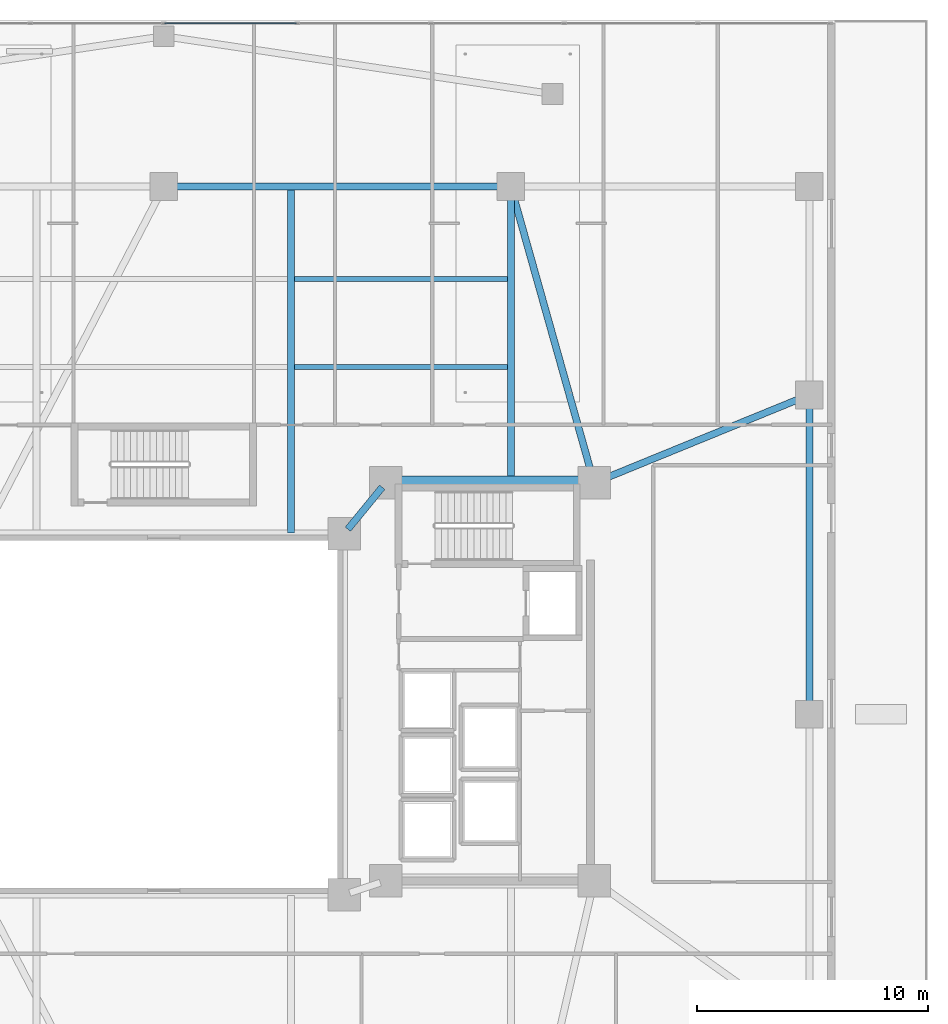
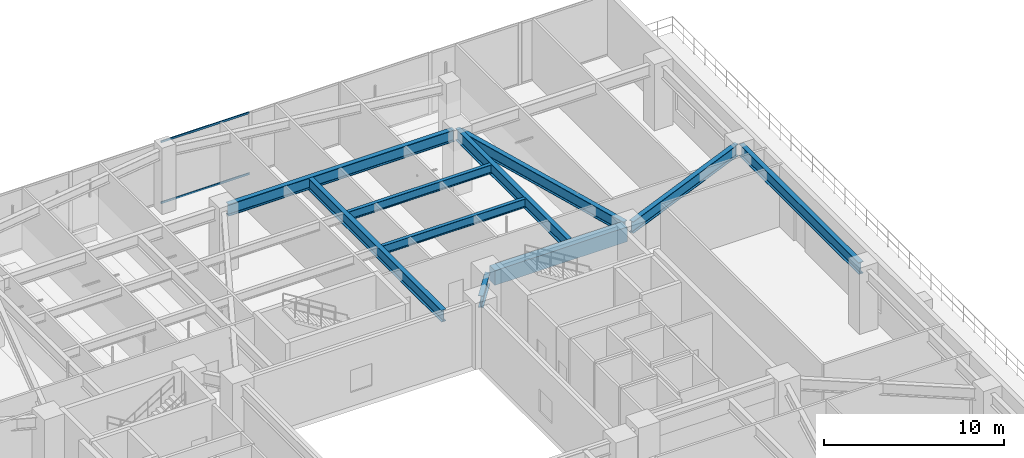
# One storey, part 13 of 27: 10 beams, 2 members, 1 element without a shape of its own.
"""IFC4 building model written with IfcOpenShell, lengths in metres."""

from ifc_helpers import new_model, si_unit, direction, frame, origin, origin_2d, place, context, subcontext, project, spatial, rectangle, hollow_rectangle, i_section, extrude, material, layer, layer_set, material_profile, profile_set, type_object, element, aggregate, save


model = new_model("IFC4")

# Units and contexts
model_context = context("Model", 3, precision=1e-05, world=origin(), true_north=direction((0.0, 1.0)))
body_context = subcontext(model_context, "Body", "Model", "MODEL_VIEW")
ifc_project = project(units=[si_unit("LENGTHUNIT", "METRE"), si_unit("AREAUNIT", "SQUARE_METRE"), si_unit("VOLUMEUNIT", "CUBIC_METRE"), si_unit("PLANEANGLEUNIT", "RADIAN"), si_unit("MASSUNIT", "GRAM", prefix="KILO")], contexts=[model_context])

# Site, building, storey
site_placement = place(None, origin())
site = spatial("IfcSite", under=ifc_project, at=site_placement, CompositionType="ELEMENT")
building_placement = place(site_placement, origin())
building = spatial("IfcBuilding", under=site, at=building_placement, Name="Tarnavaz Court Tower", CompositionType="ELEMENT")
storey_placement = place(building_placement, frame((0.0, 0.0, 9.89990234375)))
storey = spatial("IfcBuildingStorey", under=building, at=storey_placement, Name="L02", CompositionType="ELEMENT", Elevation=9.89990234375)

# Beams
ifc_material_1 = material(Name="Concrete C60/75", Category="concrete")
ifc_material_profile_1 = material_profile(ifc_material_1, rectangle(XDim=0.60009765625, YDim=1.0, at=origin_2d()), Name="RC 600X1000")
ifc_profile_set_1 = profile_set([ifc_material_profile_1], Name="Concrete C60/75")
beam_type_1 = type_object("IfcBeamType", Name="BM-CB1000", PredefinedType="LINTEL", material=ifc_profile_set_1)
beam_1_placement = place(storey_placement, frame((18.35009765625, 10.0, 3.7001953125), z_axis=(-1.0, 0.0, 0.0), x_axis=(0.0, -1.0, 0.0)))
element("IfcBeam", 1, at=beam_1_placement, inside=storey, type_object=beam_type_1, Name="L02 Beam CE-NO-CE-NI", PredefinedType="LINTEL", context=body_context, shape_type="SweptSolid", body=[
    extrude(rectangle(XDim=0.60009765625, YDim=1.0, at=origin_2d()), origin(), (0.0, 0.0, 1.0), 8.5),
])
ifc_material_2 = material(Name="Steel S355", Category="steel")
ifc_material_profile_2 = material_profile(ifc_material_2, i_section(OverallWidth=0.300048828125, OverallDepth=0.800048828125, WebThickness=0.017578125, FlangeThickness=0.032958984375, FilletRadius=0.030029296875, at=origin_2d()), Name="HEB 800")
ifc_profile_set_2 = profile_set([ifc_material_profile_2], Name="Steel S355")
beam_type_2 = type_object("IfcBeamType", Name="BM-G-HEB800", PredefinedType="USERDEFINED", material=ifc_profile_set_2)
beam_2_placement = place(storey_placement, frame((9.441650390625, 9.806396484375, 3.800048828125), z_axis=(-0.633249141033, -0.773948012066, 0.0), x_axis=(0.773948012066, -0.633249141033, 0.0)))
element("IfcBeam", 2, at=beam_2_placement, inside=storey, type_object=beam_type_2, Name="L02 Beam CE-NI-IW-NE", ObjectType="GIRDER", PredefinedType="USERDEFINED", context=body_context, shape_type="SweptSolid", body=[
    extrude(i_section(OverallWidth=0.300048828125, OverallDepth=0.800048828125, WebThickness=0.017578125, FlangeThickness=0.032958984375, FilletRadius=0.030029296875, at=origin_2d()), origin(), (0.0, 0.0, 1.0), 2.342529296875),
])
beam_3_placement = place(storey_placement, frame((0.25, 22.800048828125, 3.800048828125), z_axis=(1.0, 0.0, 0.0), x_axis=(0.0, 1.0, 0.0)))
element("IfcBeam", 3, at=beam_3_placement, inside=storey, type_object=beam_type_2, Name="L02 Beam PM-PM-N2-PM-N3", ObjectType="GIRDER", PredefinedType="USERDEFINED", context=body_context, shape_type="SweptSolid", body=[
    extrude(i_section(OverallWidth=0.300048828125, OverallDepth=0.800048828125, WebThickness=0.017578125, FlangeThickness=0.032958984375, FilletRadius=0.030029296875, at=origin_2d()), origin(), (0.0, 0.0, 1.0), 14.5),
])
beam_4_placement = place(storey_placement, frame((27.89990234375, 0.25, 3.800048828125), z_axis=(0.0, 1.0, 0.0), x_axis=(-1.0, 0.0, 0.0)))
element("IfcBeam", 4, at=beam_4_placement, inside=storey, type_object=beam_type_2, Name="L02 Beam PM-PM-E2-PM-E3", ObjectType="GIRDER", PredefinedType="USERDEFINED", context=body_context, shape_type="SweptSolid", body=[
    extrude(i_section(OverallWidth=0.300048828125, OverallDepth=0.800048828125, WebThickness=0.017578125, FlangeThickness=0.032958984375, FilletRadius=0.030029296875, at=origin_2d()), origin(), (0.0, 0.0, 1.0), 13.300048828125),
])
beam_5_placement = place(storey_placement, frame((18.5322265625, 10.24072265625, 3.800048828125), z_axis=(-0.270745024415, 0.962651095545, 0.0), x_axis=(-0.962651095545, -0.270745024415, 0.0)))
element("IfcBeam", 5, at=beam_5_placement, inside=storey, type_object=beam_type_2, Name="L02 Beam PM-CE-NO-PM-N3", ObjectType="GIRDER", PredefinedType="USERDEFINED", context=body_context, shape_type="SweptSolid", body=[
    extrude(i_section(OverallWidth=0.300048828125, OverallDepth=0.800048828125, WebThickness=0.017578125, FlangeThickness=0.032958984375, FilletRadius=0.030029296875, at=origin_2d()), origin(), (0.0, 0.0, 1.0), 12.796630859375),
])
beam_6_placement = place(storey_placement, frame((18.831298828125, 10.094482421875, 3.800048828125), z_axis=(0.925710630755, 0.378232505356, 0.0), x_axis=(-0.378232505356, 0.925710630755, 0.0)))
element("IfcBeam", 6, at=beam_6_placement, inside=storey, type_object=beam_type_2, Name="L02 Beam PM-CE-NO-PM-E3", ObjectType="GIRDER", PredefinedType="USERDEFINED", context=body_context, shape_type="SweptSolid", body=[
    extrude(i_section(OverallWidth=0.300048828125, OverallDepth=0.800048828125, WebThickness=0.017578125, FlangeThickness=0.032958984375, FilletRadius=0.030029296875, at=origin_2d()), origin(), (0.0, 0.0, 1.0), 9.546630859375),
])
beam_7_placement = place(storey_placement, frame((5.5, 7.840087890625, 3.800048828125), z_axis=(0.0, 1.0, 0.0), x_axis=(-1.0, 0.0, 0.0)))
element("IfcBeam", 7, at=beam_7_placement, inside=storey, type_object=beam_type_2, Name="L02 Beam PM-NS-NCE", ObjectType="GIRDER", PredefinedType="USERDEFINED", context=body_context, shape_type="SweptSolid", body=[
    extrude(i_section(OverallWidth=0.300048828125, OverallDepth=0.800048828125, WebThickness=0.017578125, FlangeThickness=0.032958984375, FilletRadius=0.030029296875, at=origin_2d()), origin(), (0.0, 0.0, 1.0), 14.919921875),
])
beam_8_placement = place(storey_placement, frame((15.0, 10.0400390625, 3.800048828125), z_axis=(0.0, 1.0, 0.0), x_axis=(-1.0, 0.0, 0.0)))
element("IfcBeam", 8, at=beam_8_placement, inside=storey, type_object=beam_type_2, Name="L02 Beam PM-NS-NE", ObjectType="GIRDER", PredefinedType="USERDEFINED", context=body_context, shape_type="SweptSolid", body=[
    extrude(i_section(OverallWidth=0.300048828125, OverallDepth=0.800048828125, WebThickness=0.017578125, FlangeThickness=0.032958984375, FilletRadius=0.030029296875, at=origin_2d()), origin(), (0.0, 0.0, 1.0), 12.719970703125),
])
ifc_material_profile_3 = material_profile(ifc_material_2, i_section(OverallWidth=0.219970703125, OverallDepth=0.60009765625, WebThickness=0.011962890625, FlangeThickness=0.01904296875, FilletRadius=0.02392578125, at=origin_2d()), Name="IPE 600")
ifc_profile_set_3 = profile_set([ifc_material_profile_3], Name="Steel S355")
beam_type_3 = type_object("IfcBeamType", Name="BM-J-IPE600", PredefinedType="JOIST", material=ifc_profile_set_3)
for number, where, z_axis, x_axis, name in (
    (9, (5.64990234375, 15.0, 3.900146484375), (1.0, 0.0, 0.0), (0.0, 1.0, 0.0), "L02 Beam PJN-1-3"),
    (10, (5.64990234375, 18.800048828125, 3.900146484375), (1.0, 0.0, 0.0), (0.0, 1.0, 0.0), "L02 Beam PJN-2-3"),
):
    element("IfcBeam", number, at=place(storey_placement, frame(where, z_axis=z_axis, x_axis=x_axis)), inside=storey, type_object=beam_type_3, Name=name, PredefinedType="JOIST", context=body_context, shape_type="SweptSolid", body=[
        extrude(i_section(OverallWidth=0.219970703125, OverallDepth=0.60009765625, WebThickness=0.011962890625, FlangeThickness=0.01904296875, FilletRadius=0.02392578125, at=origin_2d()), origin(), (0.0, 0.0, 1.0), 9.2001953125),
    ])

# Curtain wall, members
ifc_material_3 = material(Name="Anodised Aluminium 6063-T6 and Solar Low-E Glazing", Category="aluminium")
ifc_layer = layer(ifc_material_3, 0.18994140625)
ifc_layer_set = layer_set([ifc_layer], Name="Anodised Aluminium 6063-T6 and Solar Low-E Glazing")
curtain_wall_type = type_object("IfcCurtainWallType", Name="CW-SYS-01", PredefinedType="NOTDEFINED", material=ifc_layer_set)
curtain_wall_placement = place(storey_placement, origin())
curtain_wall = element("IfcCurtainWall", 11, at=curtain_wall_placement, inside=storey, type_object=curtain_wall_type, Name="L02 Clinic Podium Curtain Wall 1", PredefinedType="NOTDEFINED")
ifc_material_4 = material(Name="Anodised Aluminium 6063-T6", Category="aluminium")
ifc_material_profile_4 = material_profile(ifc_material_4, hollow_rectangle(XDim=0.06494140625, YDim=0.139892578125, WallThickness=0.00390625, InnerFilletRadius=0.00390625, OuterFilletRadius=0.008056640625, at=origin_2d()), Name="ALU RHS 140X65X4")
ifc_profile_set_4 = profile_set([ifc_material_profile_4], Name="Anodised Aluminium 6063-T6")
member_type = type_object("IfcMemberType", Name="CW-TRN-140", PredefinedType="USERDEFINED", material=ifc_profile_set_4)
member_1_placement = place(storey_placement, frame((0.04248046875, 29.85009765625, 0.03271484375), z_axis=(1.0, 0.0, 0.0), x_axis=(0.0, 1.0, 0.0)))
member_1 = element("IfcMember", 12, at=member_1_placement, type_object=member_type, Name="CW transom 6.1", ObjectType="TRANSOM", PredefinedType="USERDEFINED", context=body_context, shape_type="SweptSolid", body=[
    extrude(hollow_rectangle(XDim=0.06494140625, YDim=0.139892578125, WallThickness=0.00390625, InnerFilletRadius=0.00390625, OuterFilletRadius=0.008056640625, at=origin_2d()), origin(), (0.0, 0.0, 1.0), 5.68505859375),
])
member_2_placement = place(storey_placement, frame((0.04248046875, 29.85009765625, 4.16748046875), z_axis=(1.0, 0.0, 0.0), x_axis=(0.0, 1.0, 0.0)))
member_2 = element("IfcMember", 13, at=member_2_placement, type_object=member_type, Name="CW transom 6.2", ObjectType="TRANSOM", PredefinedType="USERDEFINED", context=body_context, shape_type="SweptSolid", body=[
    extrude(hollow_rectangle(XDim=0.06494140625, YDim=0.139892578125, WallThickness=0.00390625, InnerFilletRadius=0.00390625, OuterFilletRadius=0.008056640625, at=origin_2d()), origin(), (0.0, 0.0, 1.0), 5.68505859375),
])
aggregate(curtain_wall, [member_1, member_2])

save(model, "model.ifc")
